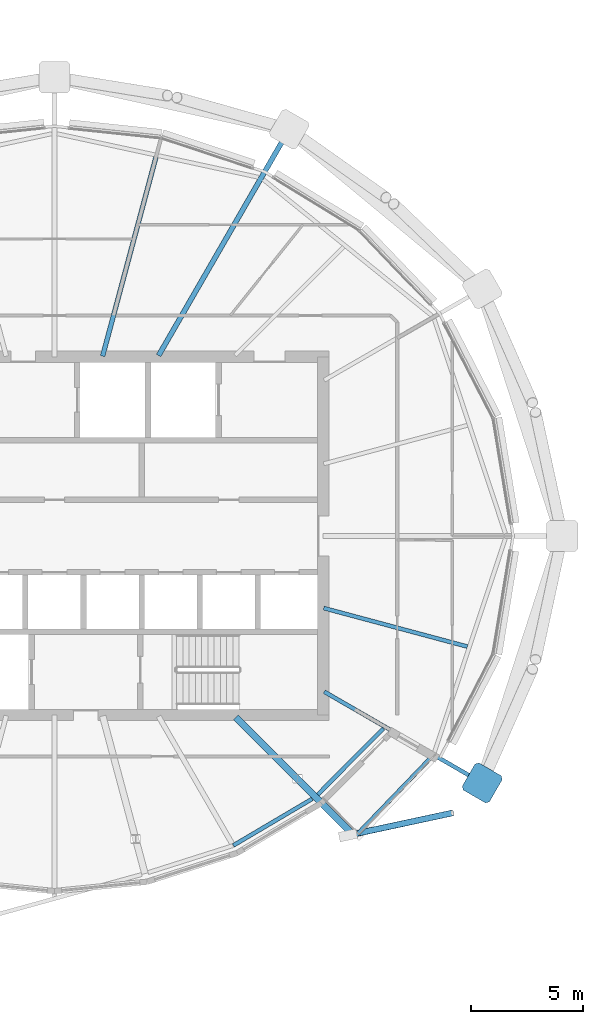
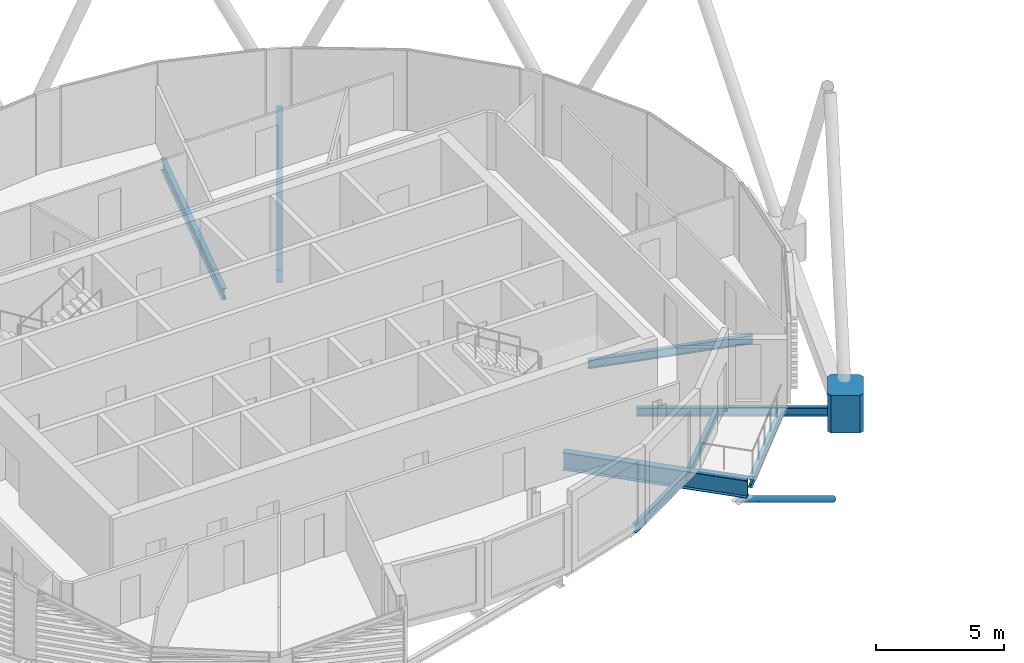
# One storey, part 6 of 32: 8 beams, 2 members.
"""IFC4 building model written with IfcOpenShell, lengths in metres."""

from ifc_helpers import new_model, si_unit, direction, frame, origin, origin_2d, place, context, subcontext, project, spatial, polyline, hollow_circle, i_section, outline, extrude, clip, halfspace, material, material_profile, profile_set, type_object, element, save


model = new_model("IFC4")

# Units and contexts
model_context = context("Model", 3, precision=1e-05, world=origin(), true_north=direction((0.0, 1.0)))
body_context = subcontext(model_context, "Body", "Model", "MODEL_VIEW")
ifc_project = project(units=[si_unit("LENGTHUNIT", "METRE"), si_unit("AREAUNIT", "SQUARE_METRE"), si_unit("VOLUMEUNIT", "CUBIC_METRE"), si_unit("PLANEANGLEUNIT", "RADIAN"), si_unit("MASSUNIT", "GRAM", prefix="KILO")], contexts=[model_context])

# Site, building, storey
site_placement = place(None, origin())
site = spatial("IfcSite", under=ifc_project, at=site_placement, CompositionType="ELEMENT")
building_placement = place(site_placement, origin())
building = spatial("IfcBuilding", under=site, at=building_placement, Name="Rimbun Link Towers", CompositionType="ELEMENT")
storey_placement = place(building_placement, frame((0.0, 0.0, 233.300048828125)))
storey = spatial("IfcBuildingStorey", under=building, at=storey_placement, Name="L57", CompositionType="ELEMENT", Elevation=233.300048828125)

# Members
ifc_material_1 = material(Name="Cast steel G20Mn5+QT, Rp0.2 300 MPa", Category="steel")
ifc_material_profile_1 = material_profile(ifc_material_1, outline(polyline([(0.699951171875, -0.570068359375), (0.699951171875, 0.570068359375), (0.570068359375, 0.699951171875), (-0.570068359375, 0.699951171875), (-0.699951171875, 0.570068359375), (-0.699951171875, -0.570068359375), (-0.570068359375, -0.699951171875), (0.570068359375, -0.699951171875), (0.699951171875, -0.570068359375)])), Name="NODE 1400x1400")
ifc_profile_set_1 = profile_set([ifc_material_profile_1], Name="Cast steel G20Mn5+QT, Rp0.2 300 MPa")
member_type_1 = type_object("IfcMemberType", Name="Diagrid node cast 1400", PredefinedType="USERDEFINED", material=ifc_profile_set_1)
member_1_placement = place(storey_placement, frame((-12.649658203125, -11.027587890625, -0.900146484375), z_axis=(0.0, 0.0, 1.0), x_axis=(0.866025403784, -0.5, 0.0)))
element("IfcMember", 1, at=member_1_placement, inside=storey, type_object=member_type_1, Name="Diagrid node L57 22", ObjectType="Diagrid node", PredefinedType="USERDEFINED", context=body_context, shape_type="SweptSolid", body=[
    extrude(outline(polyline([(0.699951171875, -0.570068359375), (0.699951171875, 0.570068359375), (0.570068359375, 0.699951171875), (-0.570068359375, 0.699951171875), (-0.699951171875, 0.570068359375), (-0.699951171875, -0.570068359375), (-0.570068359375, -0.699951171875), (0.570068359375, -0.699951171875), (0.699951171875, -0.570068359375)])), origin(), (0.0, 0.0, 1.0), 1.800048828125),
])
ifc_material_2 = material(Name="Steel S355J2H", Category="steel")
ifc_material_profile_2 = material_profile(ifc_material_2, hollow_circle(Radius=0.136474609375, WallThickness=0.012451171875, at=origin_2d()), Name="CHS 273x12.5")
ifc_profile_set_2 = profile_set([ifc_material_profile_2], Name="Steel S355J2H")
member_type_2 = type_object("IfcMemberType", Name="Floor edge link CHS 273x12.5", PredefinedType="BRACE", material=ifc_profile_set_2)
member_2_placement = place(storey_placement, frame((-18.42724609375, -13.32275390625, -1.10498046875), z_axis=(0.884816191911, 0.189582684399, -0.425627433688), x_axis=(-0.209507127352, 0.977807119829, 0.0)))
element("IfcMember", 2, at=member_2_placement, inside=storey, type_object=member_type_2, Name="Floor edge link T1 L57 21", PredefinedType="BRACE", context=body_context, shape_type="Clipping", body=[
    clip(extrude(hollow_circle(Radius=0.136474609375, WallThickness=0.012451171875, at=origin_2d()), frame((0.0, 0.0, -0.60400390625)), (0.0, 0.0, 1.0), 5.637939453125), halfspace(frame((0.0, 0.0, -0.287109375), z_axis=(0.0, 0.904898495795, -0.425627433688)), False)),
])

# Beams
ifc_material_3 = material(Name="Steel S355J2", Category="steel")
ifc_material_profile_3 = material_profile(ifc_material_3, i_section(OverallWidth=0.177978515625, OverallDepth=0.406494140625, WebThickness=0.0078125, FlangeThickness=0.0126953125, at=origin_2d()), Name="UB 406x178x60")
ifc_profile_set_3 = profile_set([ifc_material_profile_3], Name="Steel S355J2")
beam_type_1 = type_object("IfcBeamType", Name="UB 406x178x60", PredefinedType="BEAM", material=ifc_profile_set_3)
beam_1_placement = place(storey_placement, frame((-19.70458984375, -6.954345703125, -0.34326171875), z_axis=(0.866018094706, -0.500012659481, 0.0), x_axis=(0.500012659481, 0.866018094706, 0.0)))
element("IfcBeam", 3, at=beam_1_placement, inside=storey, type_object=beam_type_1, Name="Radial beam T1 L57 22", PredefinedType="BEAM", context=body_context, shape_type="SweptSolid", body=[
    extrude(i_section(OverallWidth=0.177978515625, OverallDepth=0.406494140625, WebThickness=0.0078125, FlangeThickness=0.0126953125, at=origin_2d()), origin(), (0.0, 0.0, 1.0), 7.646240234375),
])
beam_2_placement = place(storey_placement, frame((-19.72607421875, -3.2216796875, -0.34326171875), z_axis=(0.965919329481, -0.258843290303, 0.0), x_axis=(0.258843290303, 0.965919329481, 0.0)))
element("IfcBeam", 4, at=beam_2_placement, inside=storey, type_object=beam_type_1, Name="Radial beam T1 L57 23", PredefinedType="BEAM", context=body_context, shape_type="SweptSolid", body=[
    extrude(i_section(OverallWidth=0.177978515625, OverallDepth=0.406494140625, WebThickness=0.0078125, FlangeThickness=0.0126953125, at=origin_2d()), origin(), (0.0, 0.0, 1.0), 6.64013671875),
])
beam_3_placement = place(storey_placement, frame((-23.759765625, -13.8173828125, -0.34326171875), z_axis=(0.860963458244, 0.508666809973, 0.0), x_axis=(-0.508666809973, 0.860963458244, 0.0)))
element("IfcBeam", 5, at=beam_3_placement, inside=storey, type_object=beam_type_1, Name="Edge beam T1 L57 20 recess", PredefinedType="BEAM", context=body_context, shape_type="SweptSolid", body=[
    extrude(i_section(OverallWidth=0.177978515625, OverallDepth=0.406494140625, WebThickness=0.0078125, FlangeThickness=0.0126953125, at=origin_2d()), origin(), (0.0, 0.0, 1.0), 4.07958984375),
])
beam_4_placement = place(storey_placement, frame((-19.992919921875, -11.548583984375, -0.34326171875), z_axis=(0.704807648551, 0.709398462462, 0.0), x_axis=(-0.709398462462, 0.704807648551, 0.0)))
element("IfcBeam", 6, at=beam_4_placement, inside=storey, type_object=beam_type_1, Name="Edge beam T1 L57 21 recess", PredefinedType="BEAM", context=body_context, shape_type="SweptSolid", body=[
    extrude(i_section(OverallWidth=0.177978515625, OverallDepth=0.406494140625, WebThickness=0.0078125, FlangeThickness=0.0126953125, at=origin_2d()), origin(), (0.0, 0.0, 1.0), 4.14794921875),
])
beam_5_placement = place(storey_placement, frame((-18.32763671875, -13.4208984375, -0.34326171875), z_axis=(0.693071219463, 0.720869117629, 0.0), x_axis=(-0.720869117629, 0.693071219463, 0.0)))
element("IfcBeam", 7, at=beam_5_placement, inside=storey, type_object=beam_type_1, Name="Edge beam T1 L57 21 terrace", PredefinedType="BEAM", context=body_context, shape_type="SweptSolid", body=[
    extrude(i_section(OverallWidth=0.177978515625, OverallDepth=0.406494140625, WebThickness=0.0078125, FlangeThickness=0.0126953125, at=origin_2d()), origin(), (0.0, 0.0, 1.0), 4.944580078125),
])
ifc_material_4 = material(Name="Steel S355J2", Category="steel")
ifc_material_profile_4 = material_profile(ifc_material_4, i_section(OverallWidth=0.209228515625, OverallDepth=0.533203125, WebThickness=0.010009765625, FlangeThickness=0.015625, at=origin_2d()), Name="UB 533x210x92")
ifc_profile_set_4 = profile_set([ifc_material_profile_4], Name="Steel S355J2")
beam_type_2 = type_object("IfcBeamType", Name="UB 533x210x92", PredefinedType="BEAM", material=ifc_profile_set_4)
beam_6_placement = place(storey_placement, frame((-29.598876953125, 8.028076171875, -0.406494140625), z_axis=(0.2588320469, 0.965922342374, 0.0), x_axis=(-0.965922342374, 0.2588320469, 0.0)))
element("IfcBeam", 8, at=beam_6_placement, inside=storey, type_object=beam_type_2, Name="Radial beam T1 L57 05", PredefinedType="BEAM", context=body_context, shape_type="SweptSolid", body=[
    extrude(i_section(OverallWidth=0.209228515625, OverallDepth=0.533203125, WebThickness=0.010009765625, FlangeThickness=0.015625, at=origin_2d()), origin(), (0.0, 0.0, 1.0), 9.198486328125),
])
ifc_material_5 = material(Name="Steel S355J2", Category="steel")
ifc_material_profile_5 = material_profile(ifc_material_5, i_section(OverallWidth=0.2275390625, OverallDepth=0.6025390625, WebThickness=0.010498046875, FlangeThickness=0.014892578125, at=origin_2d()), Name="UB 610x229x101")
ifc_profile_set_5 = profile_set([ifc_material_profile_5], Name="Steel S355J2")
beam_type_3 = type_object("IfcBeamType", Name="UB 610x229x101", PredefinedType="BEAM", material=ifc_profile_set_5)
beam_7_placement = place(storey_placement, frame((-27.097900390625, 8.057861328125, -0.44140625), z_axis=(0.500001378502, 0.866024607905, 0.0), x_axis=(-0.866024607905, 0.500001378502, 0.0)))
element("IfcBeam", 9, at=beam_7_placement, inside=storey, type_object=beam_type_3, Name="Radial beam T1 L57 04", PredefinedType="BEAM", context=body_context, shape_type="SweptSolid", body=[
    extrude(i_section(OverallWidth=0.2275390625, OverallDepth=0.6025390625, WebThickness=0.010498046875, FlangeThickness=0.014892578125, at=origin_2d()), origin(), (0.0, 0.0, 1.0), 11.1630859375),
])
ifc_material_6 = material(Name="Steel S355J2", Category="steel")
ifc_material_profile_6 = material_profile(ifc_material_6, i_section(OverallWidth=0.29248046875, OverallDepth=0.8408203125, WebThickness=0.0126953125, FlangeThickness=0.021728515625, at=origin_2d()), Name="UB 838x292x194")
ifc_profile_set_6 = profile_set([ifc_material_profile_6], Name="Steel S355J2")
beam_type_4 = type_object("IfcBeamType", Name="UB 838x292x194", PredefinedType="BEAM", material=ifc_profile_set_6)
beam_8_placement = place(storey_placement, frame((-23.64599609375, -8.10400390625, -0.560302734375), z_axis=(0.707106781187, -0.707106781187, 0.0), x_axis=(0.707106781187, 0.707106781187, 0.0)))
element("IfcBeam", 10, at=beam_8_placement, inside=storey, type_object=beam_type_4, Name="Radial beam T1 L57 21", PredefinedType="BEAM", context=body_context, shape_type="SweptSolid", body=[
    extrude(i_section(OverallWidth=0.29248046875, OverallDepth=0.8408203125, WebThickness=0.0126953125, FlangeThickness=0.021728515625, at=origin_2d()), origin(), (0.0, 0.0, 1.0), 7.430419921875),
])

save(model, "model.ifc")
